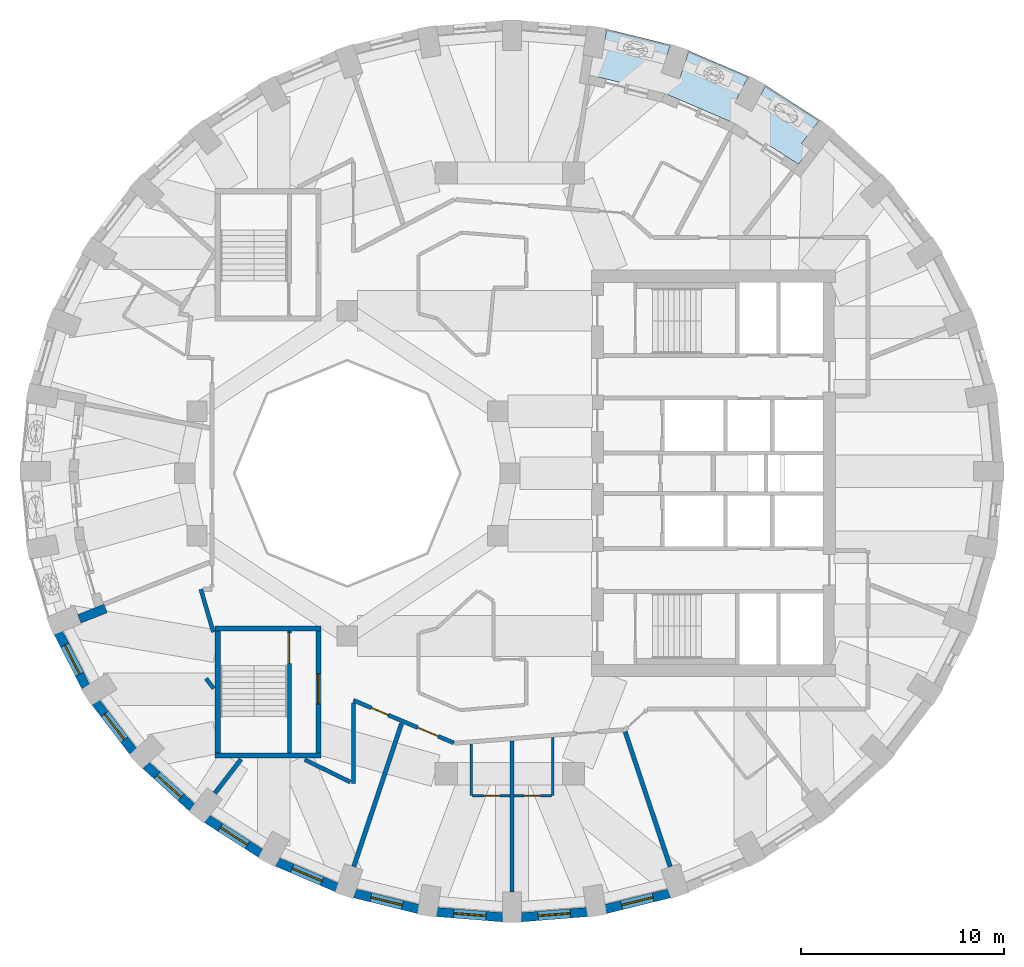
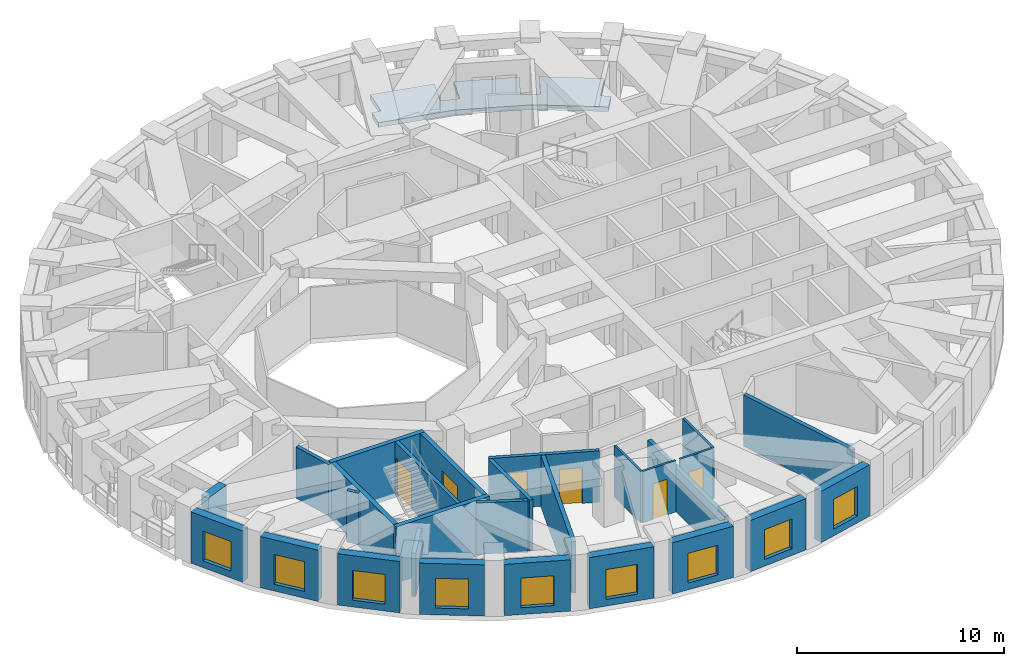
# One storey, part 3 of 12: 28 walls, 9 windows, 6 doors, 1 slab, 15 openings.
"""IFC4 building model written with IfcOpenShell, lengths in metres."""

from ifc_helpers import new_model, si_unit, direction, frame, frame_2d, origin, place, context, subcontext, project, spatial, polyline, rectangle, outline, extrude, material, layer, layer_set, type_object, element, fill, save


model = new_model("IFC4")

# Units and contexts
model_context = context("Model", 3, precision=1e-05, world=origin(), true_north=direction((0.0, 1.0)))
body_context = subcontext(model_context, "Body", "Model", "MODEL_VIEW")
ifc_project = project(units=[si_unit("LENGTHUNIT", "METRE"), si_unit("AREAUNIT", "SQUARE_METRE"), si_unit("VOLUMEUNIT", "CUBIC_METRE"), si_unit("PLANEANGLEUNIT", "RADIAN"), si_unit("MASSUNIT", "GRAM", prefix="KILO")], contexts=[model_context])

# Site, building, storey
site_placement = place(None, origin())
site = spatial("IfcSite", under=ifc_project, at=site_placement, CompositionType="ELEMENT")
building_placement = place(site_placement, origin())
building = spatial("IfcBuilding", under=site, at=building_placement, Name="Taillehof Tower", CompositionType="ELEMENT")
storey_placement = place(building_placement, frame((0.0, 0.0, 151.699951171875)))
storey = spatial("IfcBuildingStorey", under=building, at=storey_placement, Name="L42", CompositionType="ELEMENT", Elevation=151.699951171875)

# Slab
ifc_material_1 = material(Name="Concrete C40/50", Category="concrete")
ifc_layer_1 = layer(ifc_material_1, 0.280029296875)
ifc_layer_set_1 = layer_set([ifc_layer_1], Name="Balcony slab 280")
slab_type = type_object("IfcSlabType", Name="Balcony slab 280", PredefinedType="USERDEFINED", material=ifc_layer_set_1)
slab_placement = place(storey_placement, frame((0.0, 0.0, -0.280029296875)))
element("IfcSlab", 1, at=slab_placement, inside=storey, type_object=slab_type, Name="Balcony L42 pocket 1", ObjectType="BALCONY", PredefinedType="USERDEFINED", context=body_context, shape_type="SweptSolid", body=[
    extrude(outline(polyline([(3.9189453125, 19.593505859375), (4.062744140625, 20.48193359375), (4.521240234375, 20.407958984375), (4.754638671875, 21.8515625), (7.89453125, 21.079833984375), (7.432373046875, 19.695556640625), (8.33349609375, 19.39453125), (8.796630859375, 20.78173828125), (11.736572265625, 19.52392578125), (11.05419921875, 18.23583984375), (11.893798828125, 17.791259765625), (12.577880859375, 19.0830078125), (15.227783203125, 17.380859375), (14.339599609375, 16.22705078125), (14.740966796875, 15.91796875), (14.191650390625, 15.204345703125), (11.07666015625, 17.204833984375), (7.61669921875, 18.684814453125), (3.9189453125, 19.593505859375)])), origin(), (0.0, 0.0, 1.0), 0.280029296875),
])

# Wall, opening, window
ifc_material_2 = material(Name="Brick masonry", Category="masonry")
ifc_layer_2 = layer(ifc_material_2, 0.449951171875)
ifc_layer_set_2 = layer_set([ifc_layer_2], Name="Brick infill wall 450")
wall_type_1 = type_object("IfcWallType", Name="Brick infill wall 450", PredefinedType="SOLIDWALL", material=ifc_layer_set_2)
wall_1_placement = place(storey_placement, frame((-22.21533203125, -7.8369140625, 0.0), z_axis=(0.0, 0.0, 1.0), x_axis=(0.454133999889, -0.890933392653, 0.0)))
wall_1 = element("IfcWall", 2, at=wall_1_placement, inside=storey, type_object=wall_type_1, Name="Brick wall L42 bay 21", PredefinedType="SOLIDWALL", context=body_context, shape_type="SweptSolid", body=[
    extrude(rectangle(XDim=2.98583984375, YDim=0.449951171875, at=frame_2d((1.492919921875, 0.0))), origin(), (0.0, 0.0, 1.0), 3.02001953125),
])
opening_1_placement = place(wall_1_placement, frame((0.69287109375, 0.0, 0.39990234375)))
opening_1 = element("IfcOpeningElement", 3, at=opening_1_placement, cuts=wall_1, Name="Opening W3", PredefinedType="OPENING", context=body_context, shape_type="SweptSolid", body=[
    extrude(rectangle(XDim=1.60009765625, YDim=1.75, at=frame_2d((0.800048828125, 0.875))), frame((0.0, 0.23486328125, 0.0), z_axis=(0.0, -1.0, 0.0), x_axis=(1.0, 0.0, 0.0)), (0.0, 0.0, 1.0), 0.469970703125),
])
ifc_material_3 = material(Name="Aluminium window frame with clear double glazing", Category="aluminium")
window_type = type_object("IfcWindowType", Name="Deep-set window 1600x1750", PartitioningType="SINGLE_PANEL", PredefinedType="WINDOW", material=ifc_material_3)
window_1_placement = place(opening_1_placement, origin())
window_1 = element("IfcWindow", 4, at=window_1_placement, inside=storey, type_object=window_type, Name="W3", OverallHeight=1.75, OverallWidth=1.60009765625, PartitioningType="SINGLE_PANEL", PredefinedType="WINDOW", context=body_context, shape_type="SweptSolid", body=[
    extrude(rectangle(XDim=1.60009765625, YDim=1.75, at=frame_2d((0.800048828125, 0.875))), frame((0.0, 0.034912109375, 0.0), z_axis=(0.0, -1.0, 0.0), x_axis=(1.0, 0.0, 0.0)), (0.0, 0.0, 1.0), 0.06005859375),
])
fill(opening_1, window_1)

wall_2_placement = place(storey_placement, frame((-20.3740234375, -11.26708984375, 0.0), z_axis=(0.0, 0.0, 1.0), x_axis=(0.607817056371, -0.794077090706, 0.0)))
wall_2 = element("IfcWall", 5, at=wall_2_placement, inside=storey, type_object=wall_type_1, Name="Brick wall L42 bay 22", PredefinedType="SOLIDWALL", context=body_context, shape_type="SweptSolid", body=[
    extrude(rectangle(XDim=3.037109375, YDim=0.449951171875, at=frame_2d((1.5185546875, 0.0))), origin(), (0.0, 0.0, 1.0), 3.02001953125),
])
opening_2_placement = place(wall_2_placement, frame((0.718505859375, 0.0, 0.39990234375)))
opening_2 = element("IfcOpeningElement", 6, at=opening_2_placement, cuts=wall_2, Name="Opening W3", PredefinedType="OPENING", context=body_context, shape_type="SweptSolid", body=[
    extrude(rectangle(XDim=1.60009765625, YDim=1.75, at=frame_2d((0.800048828125, 0.875))), frame((0.0, 0.23486328125, 0.0), z_axis=(0.0, -1.0, 0.0), x_axis=(1.0, 0.0, 0.0)), (0.0, 0.0, 1.0), 0.469970703125),
])
window_2_placement = place(opening_2_placement, origin())
window_2 = element("IfcWindow", 7, at=window_2_placement, inside=storey, type_object=window_type, Name="W3", OverallHeight=1.75, OverallWidth=1.60009765625, PartitioningType="SINGLE_PANEL", PredefinedType="WINDOW", context=body_context, shape_type="SweptSolid", body=[
    extrude(rectangle(XDim=1.60009765625, YDim=1.75, at=frame_2d((0.800048828125, 0.875))), frame((0.0, 0.034912109375, 0.0), z_axis=(0.0, -1.0, 0.0), x_axis=(1.0, 0.0, 0.0)), (0.0, 0.0, 1.0), 0.06005859375),
])
fill(opening_2, window_2)

wall_3_placement = place(storey_placement, frame((-17.913330078125, -14.349853515625, 0.0), z_axis=(0.0, 0.0, 1.0), x_axis=(0.737808755941, -0.675009807082, 0.0)))
wall_3 = element("IfcWall", 8, at=wall_3_placement, inside=storey, type_object=wall_type_1, Name="Brick wall L42 bay 23", PredefinedType="SOLIDWALL", context=body_context, shape_type="SweptSolid", body=[
    extrude(rectangle(XDim=3.094482421875, YDim=0.449951171875, at=frame_2d((1.54736328125, 0.0))), origin(), (0.0, 0.0, 1.0), 3.02001953125),
])
opening_3_placement = place(wall_3_placement, frame((0.747314453125, 0.0, 0.39990234375)))
opening_3 = element("IfcOpeningElement", 9, at=opening_3_placement, cuts=wall_3, Name="Opening W3", PredefinedType="OPENING", context=body_context, shape_type="SweptSolid", body=[
    extrude(rectangle(XDim=1.60009765625, YDim=1.75, at=frame_2d((0.800048828125, 0.875))), frame((0.0, 0.23486328125, 0.0), z_axis=(0.0, -1.0, 0.0), x_axis=(1.0, 0.0, 0.0)), (0.0, 0.0, 1.0), 0.469970703125),
])
window_3_placement = place(opening_3_placement, origin())
window_3 = element("IfcWindow", 10, at=window_3_placement, inside=storey, type_object=window_type, Name="W3", OverallHeight=1.75, OverallWidth=1.60009765625, PartitioningType="SINGLE_PANEL", PredefinedType="WINDOW", context=body_context, shape_type="SweptSolid", body=[
    extrude(rectangle(XDim=1.60009765625, YDim=1.75, at=frame_2d((0.800048828125, 0.875))), frame((0.0, 0.034912109375, 0.0), z_axis=(0.0, -1.0, 0.0), x_axis=(1.0, 0.0, 0.0)), (0.0, 0.0, 1.0), 0.06005859375),
])
fill(opening_3, window_3)

wall_4_placement = place(storey_placement, frame((-14.908447265625, -16.993408203125, 0.0), z_axis=(0.0, 0.0, 1.0), x_axis=(0.842065914439, -0.539374633943, 0.0)))
wall_4 = element("IfcWall", 11, at=wall_4_placement, inside=storey, type_object=wall_type_1, Name="Brick wall L42 bay 24", PredefinedType="SOLIDWALL", context=body_context, shape_type="SweptSolid", body=[
    extrude(rectangle(XDim=3.1513671875, YDim=0.449951171875, at=frame_2d((1.57568359375, 0.0))), origin(), (0.0, 0.0, 1.0), 3.02001953125),
])
opening_4_placement = place(wall_4_placement, frame((0.775634765625, 0.0, 0.39990234375)))
opening_4 = element("IfcOpeningElement", 12, at=opening_4_placement, cuts=wall_4, Name="Opening W3", PredefinedType="OPENING", context=body_context, shape_type="SweptSolid", body=[
    extrude(rectangle(XDim=1.60009765625, YDim=1.75, at=frame_2d((0.800048828125, 0.875))), frame((0.0, 0.23486328125, 0.0), z_axis=(0.0, -1.0, 0.0), x_axis=(1.0, 0.0, 0.0)), (0.0, 0.0, 1.0), 0.469970703125),
])
window_4_placement = place(opening_4_placement, origin())
window_4 = element("IfcWindow", 13, at=window_4_placement, inside=storey, type_object=window_type, Name="W3", OverallHeight=1.75, OverallWidth=1.60009765625, PartitioningType="SINGLE_PANEL", PredefinedType="WINDOW", context=body_context, shape_type="SweptSolid", body=[
    extrude(rectangle(XDim=1.60009765625, YDim=1.75, at=frame_2d((0.800048828125, 0.875))), frame((0.0, 0.034912109375, 0.0), z_axis=(0.0, -1.0, 0.0), x_axis=(1.0, 0.0, 0.0)), (0.0, 0.0, 1.0), 0.06005859375),
])
fill(opening_4, window_4)

wall_5_placement = place(storey_placement, frame((-11.4501953125, -19.11865234375, 0.0), z_axis=(0.0, 0.0, 1.0), x_axis=(0.919798725687, -0.392390499663, 0.0)))
wall_5 = element("IfcWall", 14, at=wall_5_placement, inside=storey, type_object=wall_type_1, Name="Brick wall L42 bay 25", PredefinedType="SOLIDWALL", context=body_context, shape_type="SweptSolid", body=[
    extrude(rectangle(XDim=3.200439453125, YDim=0.449951171875, at=frame_2d((1.60009765625, 0.0))), origin(), (0.0, 0.0, 1.0), 3.02001953125),
])
opening_5_placement = place(wall_5_placement, frame((0.80029296875, 0.0, 0.39990234375)))
opening_5 = element("IfcOpeningElement", 15, at=opening_5_placement, cuts=wall_5, Name="Opening W3", PredefinedType="OPENING", context=body_context, shape_type="SweptSolid", body=[
    extrude(rectangle(XDim=1.60009765625, YDim=1.75, at=frame_2d((0.800048828125, 0.875))), frame((0.0, 0.23486328125, 0.0), z_axis=(0.0, -1.0, 0.0), x_axis=(1.0, 0.0, 0.0)), (0.0, 0.0, 1.0), 0.469970703125),
])
window_5_placement = place(opening_5_placement, origin())
window_5 = element("IfcWindow", 16, at=window_5_placement, inside=storey, type_object=window_type, Name="W3", OverallHeight=1.75, OverallWidth=1.60009765625, PartitioningType="SINGLE_PANEL", PredefinedType="WINDOW", context=body_context, shape_type="SweptSolid", body=[
    extrude(rectangle(XDim=1.60009765625, YDim=1.75, at=frame_2d((0.800048828125, 0.875))), frame((0.0, 0.034912109375, 0.0), z_axis=(0.0, -1.0, 0.0), x_axis=(1.0, 0.0, 0.0)), (0.0, 0.0, 1.0), 0.06005859375),
])
fill(opening_5, window_5)

wall_6_placement = place(storey_placement, frame((-7.642822265625, -20.662353515625, 0.0), z_axis=(0.0, 0.0, 1.0), x_axis=(0.971232901476, -0.238131583563, 0.0)))
wall_6 = element("IfcWall", 17, at=wall_6_placement, inside=storey, type_object=wall_type_1, Name="Brick wall L42 bay 26", PredefinedType="SOLIDWALL", context=body_context, shape_type="SweptSolid", body=[
    extrude(rectangle(XDim=3.236572265625, YDim=0.449951171875, at=frame_2d((1.6181640625, 0.0))), origin(), (0.0, 0.0, 1.0), 3.02001953125),
])
opening_6_placement = place(wall_6_placement, frame((0.818359375, 0.0, 0.39990234375)))
opening_6 = element("IfcOpeningElement", 18, at=opening_6_placement, cuts=wall_6, Name="Opening W3", PredefinedType="OPENING", context=body_context, shape_type="SweptSolid", body=[
    extrude(rectangle(XDim=1.60009765625, YDim=1.75, at=frame_2d((0.800048828125, 0.875))), frame((0.0, 0.23486328125, 0.0), z_axis=(0.0, -1.0, 0.0), x_axis=(1.0, 0.0, 0.0)), (0.0, 0.0, 1.0), 0.469970703125),
])
window_6_placement = place(opening_6_placement, origin())
window_6 = element("IfcWindow", 19, at=window_6_placement, inside=storey, type_object=window_type, Name="W3", OverallHeight=1.75, OverallWidth=1.60009765625, PartitioningType="SINGLE_PANEL", PredefinedType="WINDOW", context=body_context, shape_type="SweptSolid", body=[
    extrude(rectangle(XDim=1.60009765625, YDim=1.75, at=frame_2d((0.800048828125, 0.875))), frame((0.0, 0.034912109375, 0.0), z_axis=(0.0, -1.0, 0.0), x_axis=(1.0, 0.0, 0.0)), (0.0, 0.0, 1.0), 0.06005859375),
])
fill(opening_6, window_6)

wall_7_placement = place(storey_placement, frame((-3.6005859375, -21.578125, 0.0), z_axis=(0.0, 0.0, 1.0), x_axis=(0.996812416891, -0.079780984773, 0.0)))
wall_7 = element("IfcWall", 20, at=wall_7_placement, inside=storey, type_object=wall_type_1, Name="Brick wall L42 bay 27", PredefinedType="SOLIDWALL", context=body_context, shape_type="SweptSolid", body=[
    extrude(rectangle(XDim=3.256103515625, YDim=0.449951171875, at=frame_2d((1.6279296875, 0.0))), origin(), (0.0, 0.0, 1.0), 3.02001953125),
])
opening_7_placement = place(wall_7_placement, frame((0.827880859375, 0.0, 0.39990234375)))
opening_7 = element("IfcOpeningElement", 21, at=opening_7_placement, cuts=wall_7, Name="Opening W3", PredefinedType="OPENING", context=body_context, shape_type="SweptSolid", body=[
    extrude(rectangle(XDim=1.60009765625, YDim=1.75, at=frame_2d((0.800048828125, 0.875))), frame((0.0, 0.23486328125, 0.0), z_axis=(0.0, -1.0, 0.0), x_axis=(1.0, 0.0, 0.0)), (0.0, 0.0, 1.0), 0.469970703125),
])
window_7_placement = place(opening_7_placement, origin())
window_7 = element("IfcWindow", 22, at=window_7_placement, inside=storey, type_object=window_type, Name="W3", OverallHeight=1.75, OverallWidth=1.60009765625, PartitioningType="SINGLE_PANEL", PredefinedType="WINDOW", context=body_context, shape_type="SweptSolid", body=[
    extrude(rectangle(XDim=1.60009765625, YDim=1.75, at=frame_2d((0.800048828125, 0.875))), frame((0.0, 0.034912109375, 0.0), z_axis=(0.0, -1.0, 0.0), x_axis=(1.0, 0.0, 0.0)), (0.0, 0.0, 1.0), 0.06005859375),
])
fill(opening_7, window_7)

wall_8_placement = place(storey_placement, frame((0.55517578125, -21.837890625, 0.0), z_axis=(0.0, 0.0, 1.0), x_axis=(0.996812416891, 0.079780984773, 0.0)))
wall_8 = element("IfcWall", 23, at=wall_8_placement, inside=storey, type_object=wall_type_1, Name="Brick wall L42 bay 28", PredefinedType="SOLIDWALL", context=body_context, shape_type="SweptSolid", body=[
    extrude(rectangle(XDim=3.256103515625, YDim=0.449951171875, at=frame_2d((1.6279296875, 0.0))), origin(), (0.0, 0.0, 1.0), 3.02001953125),
])
opening_8_placement = place(wall_8_placement, frame((0.827880859375, 0.0, 0.39990234375)))
opening_8 = element("IfcOpeningElement", 24, at=opening_8_placement, cuts=wall_8, Name="Opening W3", PredefinedType="OPENING", context=body_context, shape_type="SweptSolid", body=[
    extrude(rectangle(XDim=1.60009765625, YDim=1.75, at=frame_2d((0.800048828125, 0.875))), frame((0.0, 0.23486328125, 0.0), z_axis=(0.0, -1.0, 0.0), x_axis=(1.0, 0.0, 0.0)), (0.0, 0.0, 1.0), 0.469970703125),
])
window_8_placement = place(opening_8_placement, origin())
window_8 = element("IfcWindow", 25, at=window_8_placement, inside=storey, type_object=window_type, Name="W3", OverallHeight=1.75, OverallWidth=1.60009765625, PartitioningType="SINGLE_PANEL", PredefinedType="WINDOW", context=body_context, shape_type="SweptSolid", body=[
    extrude(rectangle(XDim=1.60009765625, YDim=1.75, at=frame_2d((0.800048828125, 0.875))), frame((0.0, 0.034912109375, 0.0), z_axis=(0.0, -1.0, 0.0), x_axis=(1.0, 0.0, 0.0)), (0.0, 0.0, 1.0), 0.06005859375),
])
fill(opening_8, window_8)

wall_9_placement = place(storey_placement, frame((4.69921875, -21.43310546875, 0.0), z_axis=(0.0, 0.0, 1.0), x_axis=(0.971237178372, 0.238114139328, 0.0)))
wall_9 = element("IfcWall", 26, at=wall_9_placement, inside=storey, type_object=wall_type_1, Name="Brick wall L42 bay 29", PredefinedType="SOLIDWALL", context=body_context, shape_type="SweptSolid", body=[
    extrude(rectangle(XDim=3.23681640625, YDim=0.449951171875, at=frame_2d((1.618408203125, 0.0))), origin(), (0.0, 0.0, 1.0), 3.02001953125),
])
opening_9_placement = place(wall_9_placement, frame((0.818359375, 0.0, 0.39990234375)))
opening_9 = element("IfcOpeningElement", 27, at=opening_9_placement, cuts=wall_9, Name="Opening W3", PredefinedType="OPENING", context=body_context, shape_type="SweptSolid", body=[
    extrude(rectangle(XDim=1.60009765625, YDim=1.75, at=frame_2d((0.800048828125, 0.875))), frame((0.0, 0.23486328125, 0.0), z_axis=(0.0, -1.0, 0.0), x_axis=(1.0, 0.0, 0.0)), (0.0, 0.0, 1.0), 0.469970703125),
])
window_9_placement = place(opening_9_placement, origin())
window_9 = element("IfcWindow", 28, at=window_9_placement, inside=storey, type_object=window_type, Name="W3", OverallHeight=1.75, OverallWidth=1.60009765625, PartitioningType="SINGLE_PANEL", PredefinedType="WINDOW", context=body_context, shape_type="SweptSolid", body=[
    extrude(rectangle(XDim=1.60009765625, YDim=1.75, at=frame_2d((0.800048828125, 0.875))), frame((0.0, 0.034912109375, 0.0), z_axis=(0.0, -1.0, 0.0), x_axis=(1.0, 0.0, 0.0)), (0.0, 0.0, 1.0), 0.06005859375),
])
fill(opening_9, window_9)

# Wall
wall_10_placement = place(storey_placement, frame((-21.18212890625, -7.15625, 0.0), z_axis=(0.0, 0.0, 1.0), x_axis=(0.929514600716, 0.368785312961, 0.0)))
element("IfcWall", 29, at=wall_10_placement, inside=storey, type_object=wall_type_1, Name="Brick reveal L42 pocket 5", PredefinedType="SOLIDWALL", context=body_context, shape_type="SweptSolid", body=[
    extrude(rectangle(XDim=1.39013671875, YDim=0.449951171875, at=frame_2d((0.695068359375, 0.0))), origin(), (0.0, 0.0, 1.0), 3.02001953125),
])

# Wall, openings, doors
ifc_material_4 = material(Name="Gypsum board on steel studs, two layers each side", Category="steel")
ifc_layer_3 = layer(ifc_material_4, 0.199951171875)
ifc_layer_set_3 = layer_set([ifc_layer_3], Name="Compartment wall corridor 200")
wall_type_2 = type_object("IfcWallType", Name="Compartment wall corridor 200", PredefinedType="PARTITIONING", material=ifc_layer_set_3)
wall_11_placement = place(storey_placement, frame((-2.765625, -13.257568359375, 0.0), z_axis=(0.0, 0.0, 1.0), x_axis=(-0.920210819037, 0.391423106787, 0.0)))
wall_11 = element("IfcWall", 30, at=wall_11_placement, inside=storey, type_object=wall_type_2, Name="Compartment wall", PredefinedType="PARTITIONING", context=body_context, shape_type="SweptSolid", body=[
    extrude(rectangle(XDim=5.362060546875, YDim=0.199951171875, at=frame_2d((2.68115234375, 0.0))), origin(), (0.0, 0.0, 1.0), 3.02001953125),
])
opening_10_placement = place(wall_11_placement, frame((3.4951171875, 0.0, 0.0)))
opening_10 = element("IfcOpeningElement", 31, at=opening_10_placement, cuts=wall_11, Name="Opening D4250", PredefinedType="OPENING", context=body_context, shape_type="SweptSolid", body=[
    extrude(rectangle(XDim=0.89990234375, YDim=2.10009765625, at=frame_2d((0.449951171875, 1.050048828125))), frame((0.0, 0.10986328125, 0.0), z_axis=(0.0, -1.0, 0.0), x_axis=(1.0, 0.0, 0.0)), (0.0, 0.0, 1.0), 0.219970703125),
])
opening_11_placement = place(wall_11_placement, frame((0.827392578125, 0.0, 0.0)))
opening_11 = element("IfcOpeningElement", 32, at=opening_11_placement, cuts=wall_11, Name="Opening D4251", PredefinedType="OPENING", context=body_context, shape_type="SweptSolid", body=[
    extrude(rectangle(XDim=1.10009765625, YDim=2.10009765625, at=frame_2d((0.550048828125, 1.050048828125))), frame((0.0, 0.10986328125, 0.0), z_axis=(0.0, -1.0, 0.0), x_axis=(1.0, 0.0, 0.0)), (0.0, 0.0, 1.0), 0.219970703125),
])
ifc_material_5 = material(Name="Timber door leaf in steel frame", Category="steel")
door_type_1 = type_object("IfcDoorType", Name="Service room door EI 30 900 x 2100", OperationType="SINGLE_SWING_LEFT", PredefinedType="DOOR", material=ifc_material_5)
door_1_placement = place(opening_10_placement, origin())
door_1 = element("IfcDoor", 33, at=door_1_placement, inside=storey, type_object=door_type_1, Name="D4250", OperationType="SINGLE_SWING_LEFT", OverallHeight=2.10009765625, OverallWidth=0.89990234375, PredefinedType="DOOR", context=body_context, shape_type="SweptSolid", body=[
    extrude(rectangle(XDim=0.89990234375, YDim=2.10009765625, at=frame_2d((0.449951171875, 1.050048828125))), frame((0.0, 0.02490234375, 0.0), z_axis=(0.0, -1.0, 0.0), x_axis=(1.0, 0.0, 0.0)), (0.0, 0.0, 1.0), 0.050048828125),
])
fill(opening_10, door_1)
ifc_material_6 = material(Name="Timber door leaf in steel frame", Category="steel")
door_type_2 = type_object("IfcDoorType", Name="Suite entrance door EI 30 1100 x 2100", OperationType="SINGLE_SWING_LEFT", PredefinedType="DOOR", material=ifc_material_6)
door_2_placement = place(opening_11_placement, origin())
door_2 = element("IfcDoor", 34, at=door_2_placement, inside=storey, type_object=door_type_2, Name="D4251", OperationType="SINGLE_SWING_RIGHT", OverallHeight=2.10009765625, OverallWidth=1.10009765625, PredefinedType="DOOR", context=body_context, shape_type="SweptSolid", body=[
    extrude(rectangle(XDim=1.10009765625, YDim=2.10009765625, at=frame_2d((0.550048828125, 1.050048828125))), frame((0.0, 0.02490234375, 0.0), z_axis=(0.0, -1.0, 0.0), x_axis=(1.0, 0.0, 0.0)), (0.0, 0.0, 1.0), 0.050048828125),
])
fill(opening_11, door_2)

# Walls
wall_12_placement = place(storey_placement, frame((-7.699951171875, -11.298828125, 0.0), z_axis=(0.0, 0.0, 1.0), x_axis=(0.0, -1.0, 0.0)))
element("IfcWall", 35, at=wall_12_placement, inside=storey, type_object=wall_type_2, Name="Compartment wall", PredefinedType="PARTITIONING", context=body_context, shape_type="SweptSolid", body=[
    extrude(rectangle(XDim=3.9560546875, YDim=0.199951171875, at=frame_2d((1.97802734375, 0.0))), origin(), (0.0, 0.0, 1.0), 3.02001953125),
])
wall_13_placement = place(storey_placement, frame((-7.844482421875, -15.1845703125, 0.0), z_axis=(0.0, 0.0, 1.0), x_axis=(-0.898266579534, 0.439450966653, 0.0)))
element("IfcWall", 36, at=wall_13_placement, inside=storey, type_object=wall_type_2, Name="Compartment wall", PredefinedType="PARTITIONING", context=body_context, shape_type="SweptSolid", body=[
    extrude(rectangle(XDim=2.5087890625, YDim=0.199951171875, at=frame_2d((1.25439453125, 0.0))), origin(), (0.0, 0.0, 1.0), 3.02001953125),
])
wall_14_placement = place(storey_placement, frame((-14.57373046875, -10.580078125, 0.0), z_axis=(0.0, 0.0, 1.0), x_axis=(-0.606745625174, 0.794896060081, 0.0)))
element("IfcWall", 37, at=wall_14_placement, inside=storey, type_object=wall_type_2, Name="Compartment wall", PredefinedType="PARTITIONING", context=body_context, shape_type="SweptSolid", body=[
    extrude(rectangle(XDim=0.61767578125, YDim=0.199951171875, at=frame_2d((0.308837890625, 0.0))), origin(), (0.0, 0.0, 1.0), 3.02001953125),
])
wall_15_placement = place(storey_placement, frame((-14.590087890625, -7.806884765625, 0.0), z_axis=(0.0, 0.0, 1.0), x_axis=(-0.280401457903, 0.959882817018, 0.0)))
element("IfcWall", 38, at=wall_15_placement, inside=storey, type_object=wall_type_2, Name="Compartment wall", PredefinedType="PARTITIONING", context=body_context, shape_type="SweptSolid", body=[
    extrude(rectangle(XDim=2.195068359375, YDim=0.199951171875, at=frame_2d((1.09765625, 0.0))), origin(), (0.0, 0.0, 1.0), 3.02001953125),
])
ifc_material_7 = material(Name="Gypsum board on double steel studs with mineral wool", Category="steel")
ifc_layer_4 = layer(ifc_material_7, 0.219970703125)
ifc_layer_set_4 = layer_set([ifc_layer_4], Name="Compartment wall guest room 220")
wall_type_3 = type_object("IfcWallType", Name="Compartment wall guest room 220", PredefinedType="PARTITIONING", material=ifc_layer_set_4)
wall_16_placement = place(storey_placement, frame((-14.515869140625, -15.7373046875, 0.0), z_axis=(0.0, 0.0, 1.0), x_axis=(0.609983624648, 0.792414019097, 0.0)))
element("IfcWall", 39, at=wall_16_placement, inside=storey, type_object=wall_type_3, Name="Compartment wall", PredefinedType="PARTITIONING", context=body_context, shape_type="SweptSolid", body=[
    extrude(rectangle(XDim=2.118408203125, YDim=0.219970703125, at=frame_2d((1.05908203125, 0.0))), origin(), (0.0, 0.0, 1.0), 2.570068359375),
])
wall_17_placement = place(storey_placement, frame((-7.682861328125, -19.344970703125, 0.0), z_axis=(0.0, 0.0, 1.0), x_axis=(0.316720596973, 0.948518878807, 0.0)))
element("IfcWall", 40, at=wall_17_placement, inside=storey, type_object=wall_type_3, Name="Compartment wall", PredefinedType="PARTITIONING", context=body_context, shape_type="SweptSolid", body=[
    extrude(rectangle(XDim=7.43017578125, YDim=0.219970703125, at=frame_2d((3.715087890625, 0.0))), origin(), (0.0, 0.0, 1.0), 3.02001953125),
])
wall_18_placement = place(storey_placement, frame((0.10009765625, -20.60009765625, 0.0), z_axis=(0.0, 0.0, 1.0), x_axis=(0.0, 1.0, 0.0)))
element("IfcWall", 41, at=wall_18_placement, inside=storey, type_object=wall_type_3, Name="Compartment wall", PredefinedType="PARTITIONING", context=body_context, shape_type="SweptSolid", body=[
    extrude(rectangle(XDim=7.4326171875, YDim=0.219970703125, at=frame_2d((3.71630859375, 0.0))), origin(), (0.0, 0.0, 1.0), 2.570068359375),
])
wall_19_placement = place(storey_placement, frame((7.8828125, -19.344970703125, 0.0), z_axis=(0.0, 0.0, 1.0), x_axis=(-0.31671959997, 0.948519211716, 0.0)))
element("IfcWall", 42, at=wall_19_placement, inside=storey, type_object=wall_type_3, Name="Compartment wall", PredefinedType="PARTITIONING", context=body_context, shape_type="SweptSolid", body=[
    extrude(rectangle(XDim=6.99853515625, YDim=0.219970703125, at=frame_2d((3.499267578125, 0.0))), origin(), (0.0, 0.0, 1.0), 3.02001953125),
])
ifc_material_8 = material(Name="Gypsum board on steel studs, moisture resistant", Category="steel")
ifc_layer_5 = layer(ifc_material_8, 0.1201171875)
ifc_layer_set_5 = layer_set([ifc_layer_5], Name="En-suite wall 120")
wall_type_4 = type_object("IfcWallType", Name="En-suite wall 120", PredefinedType="PARTITIONING", material=ifc_layer_set_5)
wall_20_placement = place(storey_placement, frame((-1.89990234375, -13.307373046875, 0.0), z_axis=(0.0, 0.0, 1.0), x_axis=(0.0, -1.0, 0.0)))
element("IfcWall", 43, at=wall_20_placement, inside=storey, type_object=wall_type_4, Name="En-suite wall", PredefinedType="PARTITIONING", context=body_context, shape_type="SweptSolid", body=[
    extrude(rectangle(XDim=2.539794921875, YDim=0.1201171875, at=frame_2d((1.27001953125, 0.0))), origin(), (0.0, 0.0, 1.0), 3.02001953125),
])
wall_21_placement = place(storey_placement, frame((2.10009765625, -12.98779296875, 0.0), z_axis=(0.0, 0.0, 1.0), x_axis=(0.0, -1.0, 0.0)))
element("IfcWall", 44, at=wall_21_placement, inside=storey, type_object=wall_type_4, Name="En-suite wall", PredefinedType="PARTITIONING", context=body_context, shape_type="SweptSolid", body=[
    extrude(rectangle(XDim=2.859375, YDim=0.1201171875, at=frame_2d((1.4296875, 0.0))), origin(), (0.0, 0.0, 1.0), 3.02001953125),
])

# Wall, opening, door
wall_22_placement = place(storey_placement, frame((-1.83984375, -15.84716796875, 0.0), z_axis=(0.0, 0.0, 1.0), x_axis=(1.0, 0.0, 0.0)))
wall_22 = element("IfcWall", 45, at=wall_22_placement, inside=storey, type_object=wall_type_4, Name="En-suite wall", PredefinedType="PARTITIONING", context=body_context, shape_type="SweptSolid", body=[
    extrude(rectangle(XDim=1.829833984375, YDim=0.1201171875, at=frame_2d((0.9150390625, 0.0))), origin(), (0.0, 0.0, 1.0), 3.02001953125),
])
opening_12_placement = place(wall_22_placement, frame((0.539794921875, 0.0, 0.0)))
opening_12 = element("IfcOpeningElement", 46, at=opening_12_placement, cuts=wall_22, Name="Opening D4252", PredefinedType="OPENING", context=body_context, shape_type="SweptSolid", body=[
    extrude(rectangle(XDim=0.800048828125, YDim=2.10009765625, at=frame_2d((0.39990234375, 1.050048828125))), frame((0.0, 0.070068359375, 0.0), z_axis=(0.0, -1.0, 0.0), x_axis=(1.0, 0.0, 0.0)), (0.0, 0.0, 1.0), 0.14013671875),
])
ifc_material_9 = material(Name="Timber door leaf in steel frame", Category="steel")
door_type_3 = type_object("IfcDoorType", Name="En-suite door 800 x 2100", OperationType="SINGLE_SWING_LEFT", PredefinedType="DOOR", material=ifc_material_9)
door_3_placement = place(opening_12_placement, origin())
door_3 = element("IfcDoor", 47, at=door_3_placement, inside=storey, type_object=door_type_3, Name="D4252", OperationType="SINGLE_SWING_RIGHT", OverallHeight=2.10009765625, OverallWidth=0.800048828125, PredefinedType="DOOR", context=body_context, shape_type="SweptSolid", body=[
    extrude(rectangle(XDim=0.800048828125, YDim=2.10009765625, at=frame_2d((0.39990234375, 1.050048828125))), frame((0.0, 0.02490234375, 0.0), z_axis=(0.0, -1.0, 0.0), x_axis=(1.0, 0.0, 0.0)), (0.0, 0.0, 1.0), 0.050048828125),
])
fill(opening_12, door_3)

wall_23_placement = place(storey_placement, frame((2.0400390625, -15.84716796875, 0.0), z_axis=(0.0, 0.0, 1.0), x_axis=(-1.0, 0.0, 0.0)))
wall_23 = element("IfcWall", 48, at=wall_23_placement, inside=storey, type_object=wall_type_4, Name="En-suite wall", PredefinedType="PARTITIONING", context=body_context, shape_type="SweptSolid", body=[
    extrude(rectangle(XDim=1.829833984375, YDim=0.1201171875, at=frame_2d((0.9150390625, 0.0))), origin(), (0.0, 0.0, 1.0), 3.02001953125),
])
opening_13_placement = place(wall_23_placement, frame((0.5400390625, 0.0, 0.0)))
opening_13 = element("IfcOpeningElement", 49, at=opening_13_placement, cuts=wall_23, Name="Opening D4254", PredefinedType="OPENING", context=body_context, shape_type="SweptSolid", body=[
    extrude(rectangle(XDim=0.800048828125, YDim=2.10009765625, at=frame_2d((0.39990234375, 1.050048828125))), frame((0.0, 0.070068359375, 0.0), z_axis=(0.0, -1.0, 0.0), x_axis=(1.0, 0.0, 0.0)), (0.0, 0.0, 1.0), 0.14013671875),
])
door_4_placement = place(opening_13_placement, origin())
door_4 = element("IfcDoor", 50, at=door_4_placement, inside=storey, type_object=door_type_3, Name="D4254", OperationType="SINGLE_SWING_RIGHT", OverallHeight=2.10009765625, OverallWidth=0.800048828125, PredefinedType="DOOR", context=body_context, shape_type="SweptSolid", body=[
    extrude(rectangle(XDim=0.800048828125, YDim=2.10009765625, at=frame_2d((0.39990234375, 1.050048828125))), frame((0.0, 0.02490234375, 0.0), z_axis=(0.0, -1.0, 0.0), x_axis=(1.0, 0.0, 0.0)), (0.0, 0.0, 1.0), 0.050048828125),
])
fill(opening_13, door_4)

ifc_material_10 = material(Name="Concrete C50/60", Category="concrete")
ifc_layer_6 = layer(ifc_material_10, 0.199951171875)
ifc_layer_set_6 = layer_set([ifc_layer_6], Name="Shaft wall C50/60 200")
wall_type_5 = type_object("IfcWallType", Name="Shaft wall C50/60 200", PredefinedType="SHEAR", material=ifc_layer_set_6)
wall_24_placement = place(storey_placement, frame((-10.85009765625, -13.75, 0.0), z_axis=(0.0, 0.0, 1.0), x_axis=(0.0, 1.0, 0.0)))
wall_24 = element("IfcWall", 51, at=wall_24_placement, inside=storey, type_object=wall_type_5, Name="Shaft wall SW", PredefinedType="SHEAR", context=body_context, shape_type="SweptSolid", body=[
    extrude(rectangle(XDim=6.0, YDim=0.199951171875, at=frame_2d((3.0, 0.0))), origin(), (0.0, 0.0, 1.0), 3.02001953125),
])
opening_14_placement = place(wall_24_placement, frame((4.39990234375, 0.0, 0.0)))
opening_14 = element("IfcOpeningElement", 52, at=opening_14_placement, cuts=wall_24, Name="Opening D4213", PredefinedType="OPENING", context=body_context, shape_type="SweptSolid", body=[
    extrude(rectangle(XDim=1.5, YDim=2.10009765625, at=frame_2d((0.75, 1.050048828125))), frame((0.0, 0.10986328125, 0.0), z_axis=(0.0, -1.0, 0.0), x_axis=(1.0, 0.0, 0.0)), (0.0, 0.0, 1.0), 0.219970703125),
])
ifc_material_11 = material(Name="Steel-faced fire door", Category="steel")
door_type_4 = type_object("IfcDoorType", Name="Stair door 1500x2100", OperationType="DOUBLE_DOOR_SINGLE_SWING", PredefinedType="DOOR", material=ifc_material_11)
door_5_placement = place(opening_14_placement, origin())
door_5 = element("IfcDoor", 53, at=door_5_placement, inside=storey, type_object=door_type_4, Name="Stair lobby door S4", OperationType="DOUBLE_DOOR_SINGLE_SWING", OverallHeight=2.10009765625, OverallWidth=1.5, PredefinedType="DOOR", context=body_context, shape_type="SweptSolid", body=[
    extrude(rectangle(XDim=1.5, YDim=2.10009765625, at=frame_2d((0.75, 1.050048828125))), frame((0.0, 0.02490234375, 0.0), z_axis=(0.0, -1.0, 0.0), x_axis=(1.0, 0.0, 0.0)), (0.0, 0.0, 1.0), 0.050048828125),
])
fill(opening_14, door_5)

# Wall
ifc_material_12 = material(Name="Concrete C50/60", Category="concrete")
ifc_layer_7 = layer(ifc_material_12, 0.25)
ifc_layer_set_7 = layer_set([ifc_layer_7], Name="Stair wall C50/60 250")
wall_type_6 = type_object("IfcWallType", Name="Stair wall C50/60 250", PredefinedType="SHEAR", material=ifc_layer_set_7)
wall_25_placement = place(storey_placement, frame((-14.375, -13.75, -0.280029296875), z_axis=(0.0, 0.0, 1.0), x_axis=(0.0, 1.0, 0.0)))
element("IfcWall", 54, at=wall_25_placement, inside=storey, type_object=wall_type_6, Name="Stair wall SC", PredefinedType="SHEAR", context=body_context, shape_type="SweptSolid", body=[
    extrude(rectangle(XDim=6.0, YDim=0.25, at=frame_2d((3.0, 0.0))), origin(), (0.0, 0.0, 1.0), 3.300048828125),
])

# Wall, opening, door
wall_26_placement = place(storey_placement, frame((-9.425048828125, -13.75, -0.280029296875), z_axis=(0.0, 0.0, 1.0), x_axis=(0.0, 1.0, 0.0)))
wall_26 = element("IfcWall", 55, at=wall_26_placement, inside=storey, type_object=wall_type_6, Name="Stair wall SC", PredefinedType="SHEAR", context=body_context, shape_type="SweptSolid", body=[
    extrude(rectangle(XDim=6.0, YDim=0.25, at=frame_2d((3.0, 0.0))), origin(), (0.0, 0.0, 1.0), 3.300048828125),
])
opening_15_placement = place(wall_26_placement, frame((2.39990234375, 0.0, 0.280029296875)))
opening_15 = element("IfcOpeningElement", 56, at=opening_15_placement, cuts=wall_26, Name="Opening D4216", PredefinedType="OPENING", context=body_context, shape_type="SweptSolid", body=[
    extrude(rectangle(XDim=1.5, YDim=2.10009765625, at=frame_2d((0.75, 1.050048828125))), frame((0.0, 0.135009765625, 0.0), z_axis=(0.0, -1.0, 0.0), x_axis=(1.0, 0.0, 0.0)), (0.0, 0.0, 1.0), 0.27001953125),
])
door_6_placement = place(opening_15_placement, origin())
door_6 = element("IfcDoor", 57, at=door_6_placement, inside=storey, type_object=door_type_4, Name="Stair door S4", OperationType="DOUBLE_DOOR_SINGLE_SWING", OverallHeight=2.10009765625, OverallWidth=1.5, PredefinedType="DOOR", context=body_context, shape_type="SweptSolid", body=[
    extrude(rectangle(XDim=1.5, YDim=2.10009765625, at=frame_2d((0.75, 1.050048828125))), frame((0.0, 0.02490234375, 0.0), z_axis=(0.0, -1.0, 0.0), x_axis=(1.0, 0.0, 0.0)), (0.0, 0.0, 1.0), 0.050048828125),
])
fill(opening_15, door_6)

# Walls
for number, where, z_axis, x_axis, name in (
    (58, (-14.5, -7.625, -0.280029296875), (0.0, 0.0, 1.0), (1.0, 0.0, 0.0), "Stair wall SC"),
    (59, (-14.5, -13.875, -0.280029296875), (0.0, 0.0, 1.0), (1.0, 0.0, 0.0), "Stair wall SC"),
):
    element("IfcWall", number, at=place(storey_placement, frame(where, z_axis=z_axis, x_axis=x_axis)), inside=storey, type_object=wall_type_6, Name=name, PredefinedType="SHEAR", context=body_context, shape_type="SweptSolid", body=[
        extrude(rectangle(XDim=5.199951171875, YDim=0.25, at=frame_2d((2.60009765625, 0.0))), origin(), (0.0, 0.0, 1.0), 3.300048828125),
    ])

save(model, "model.ifc")
